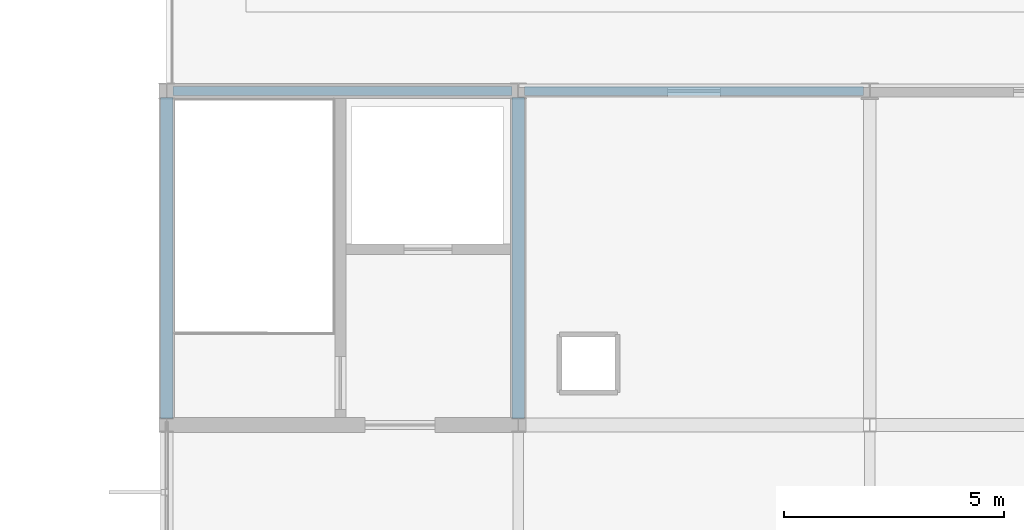
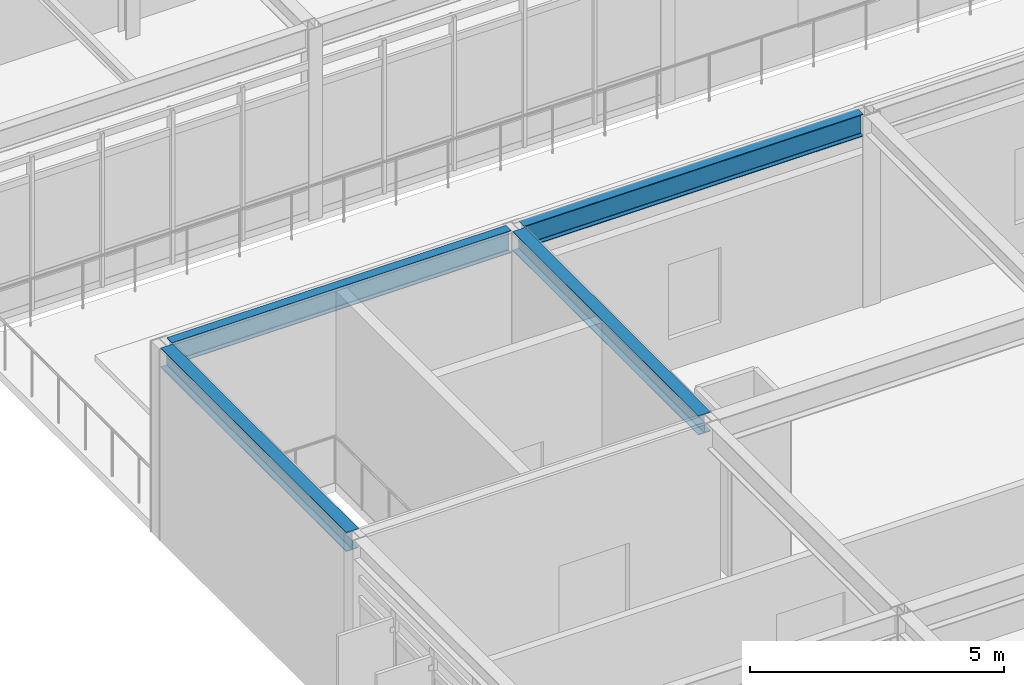
# One storey, part 48 of 100: 4 beams.
"""IFC4 building model written with IfcOpenShell, lengths in metres."""

from ifc_helpers import new_model, si_unit, direction, frame, origin, origin_2d, place, context, subcontext, project, spatial, i_section, extrude, material, material_profile, profile_set, type_object, element, save


model = new_model("IFC4")

# Units and contexts
model_context = context("Model", 3, precision=1e-05, world=origin(), true_north=direction((0.0, 1.0)))
body_context = subcontext(model_context, "Body", "Model", "MODEL_VIEW")
ifc_project = project(units=[si_unit("LENGTHUNIT", "METRE"), si_unit("AREAUNIT", "SQUARE_METRE"), si_unit("VOLUMEUNIT", "CUBIC_METRE"), si_unit("PLANEANGLEUNIT", "RADIAN"), si_unit("MASSUNIT", "GRAM", prefix="KILO")], contexts=[model_context])

# Site, building, storey
site_placement = place(None, origin())
site = spatial("IfcSite", under=ifc_project, at=site_placement, CompositionType="ELEMENT")
building_placement = place(site_placement, origin())
building = spatial("IfcBuilding", under=site, at=building_placement, Name="Zulena Civic Courthouse", CompositionType="ELEMENT")
storey_placement = place(building_placement, frame((0.0, 0.0, 20.39990234375)))
storey = spatial("IfcBuildingStorey", under=building, at=storey_placement, Name="L04", CompositionType="ELEMENT", Elevation=20.39990234375)

# Beams
ifc_material = material(Name="Steel ASTM A992 Grade 50", Category="steel")
ifc_material_profile_1 = material_profile(ifc_material, i_section(OverallWidth=0.280029296875, OverallDepth=0.462890625, WebThickness=0.0107421875, FlangeThickness=0.017333984375, FilletRadius=0.01025390625, at=origin_2d()), Name="W18X76")
ifc_profile_set_1 = profile_set([ifc_material_profile_1], Name="Steel ASTM A992 Grade 50")
beam_type_1 = type_object("IfcBeamType", Name="Spandrel_W18X76", PredefinedType="SPANDREL", material=ifc_profile_set_1)
for number, where, z_axis, x_axis, name in (
    (1, (68.0, 30.544921875, 4.363525390625), (0.0, 1.0, 0.0), (-1.0, 0.0, 0.0), "beam:Y:V4:L04:68.0:30.4_38.0"),
    (2, (76.0, 30.544921875, 4.363525390625), (0.0, 1.0, 0.0), (-1.0, 0.0, 0.0), "beam:Y:V4:L04:76.0:30.4_38.0"),
):
    element("IfcBeam", number, at=place(storey_placement, frame(where, z_axis=z_axis, x_axis=x_axis)), inside=storey, type_object=beam_type_1, Name=name, PredefinedType="SPANDREL", context=body_context, shape_type="SweptSolid", body=[
        extrude(i_section(OverallWidth=0.280029296875, OverallDepth=0.462890625, WebThickness=0.0107421875, FlangeThickness=0.017333984375, FilletRadius=0.01025390625, at=origin_2d()), origin(), (0.0, 0.0, 1.0), 7.31005859375),
    ])
ifc_material_profile_2 = material_profile(ifc_material, i_section(OverallWidth=0.2099609375, OverallDepth=0.537109375, WebThickness=0.010986328125, FlangeThickness=0.017333984375, FilletRadius=0.0126953125, at=origin_2d()), Name="W21X68")
ifc_profile_set_2 = profile_set([ifc_material_profile_2], Name="Steel ASTM A992 Grade 50")
beam_type_2 = type_object("IfcBeamType", Name="Spandrel_W21X68", PredefinedType="SPANDREL", material=ifc_profile_set_2)
for number, where, z_axis, x_axis, name in (
    (3, (68.14501953125, 38.0, 4.32666015625), (1.0, 0.0, 0.0), (0.0, 1.0, 0.0), "beam:X:V4:L04:38.0:68.0_76.0"),
    (4, (76.14501953125, 38.0, 4.32666015625), (1.0, 0.0, 0.0), (0.0, 1.0, 0.0), "beam:X:V4:L04:38.0:76.0_84.0"),
):
    element("IfcBeam", number, at=place(storey_placement, frame(where, z_axis=z_axis, x_axis=x_axis)), inside=storey, type_object=beam_type_2, Name=name, PredefinedType="SPANDREL", context=body_context, shape_type="SweptSolid", body=[
        extrude(i_section(OverallWidth=0.2099609375, OverallDepth=0.537109375, WebThickness=0.010986328125, FlangeThickness=0.017333984375, FilletRadius=0.0126953125, at=origin_2d()), origin(), (0.0, 0.0, 1.0), 7.7099609375),
    ])

save(model, "model.ifc")
